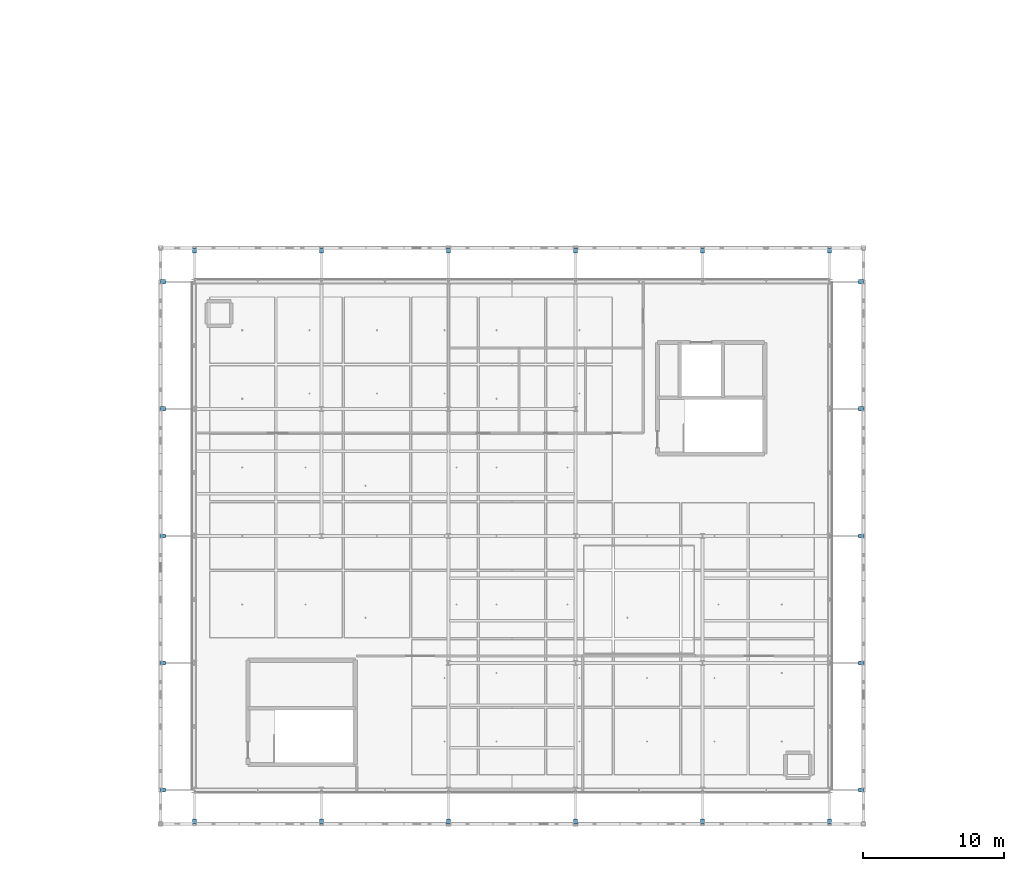
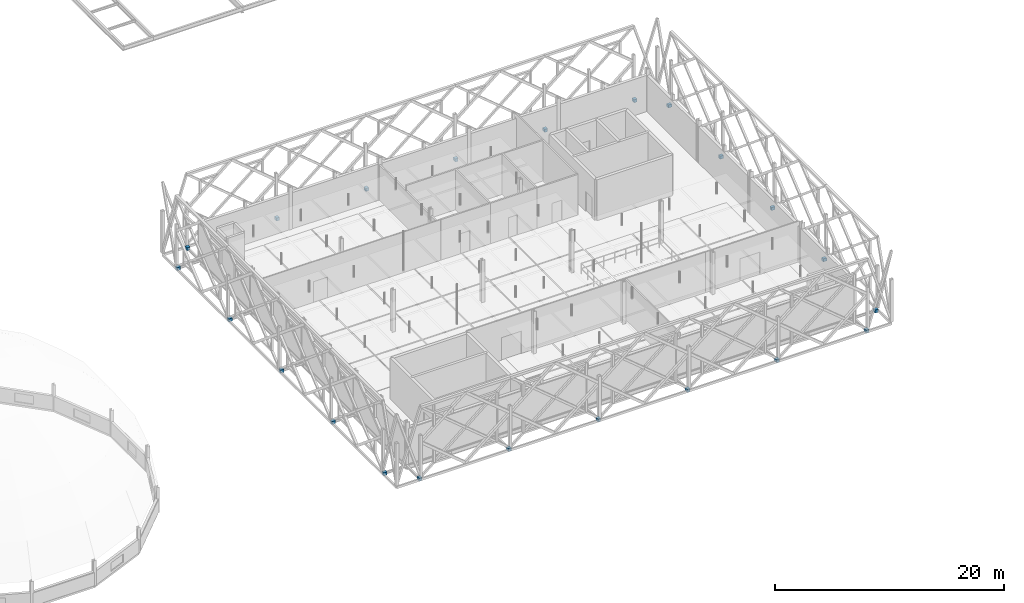
# One storey, part 62 of 66: 22 discrete accessories.
"""IFC4 building model written with IfcOpenShell, lengths in metres."""

import ifcopenshell
import ifcopenshell.guid

model = None  # the IFC model being written
_history = None  # IfcOwnerHistory: only IFC2X3 demands one
_inside = {}  # id of a spatial element -> (the spatial element, [elements in it])
_under = {}  # id of a project, library or spatial element -> (it, [spatial elements below it])
_declared = {}  # id of a project -> (the project, [libraries it declares])
_typed = {}  # id of a type object -> (the type object, [elements of that type])
_made_of = {}  # id of a material, layer set ... -> (it, [elements and type objects made of it])


def new_model(schema):
    """Start an empty IFC model of exactly this schema.

    Asked for "IFC4X3", IfcOpenShell would pick the latest addendum, in which some entities
    have other attributes; the version numbers below select the first issue.
    IFC2X3 requires an IfcOwnerHistory on every rooted entity: one is made here for all.
    """
    global model, _history
    if schema == "IFC4X3":
        model = ifcopenshell.file(schema_version=(4, 3, 0, 0))
    else:
        model = ifcopenshell.file(schema=schema)
    _inside.clear()
    _under.clear()
    _declared.clear()
    _typed.clear()
    _made_of.clear()
    _history = None
    if model.schema == "IFC2X3":
        org = make("IfcOrganization", Name="unknown")
        user = make(
            "IfcPersonAndOrganization",
            ThePerson=make("IfcPerson", FamilyName="unknown"),
            TheOrganization=org,
        )
        app = make(
            "IfcApplication",
            ApplicationDeveloper=org,
            Version="unknown",
            ApplicationFullName="unknown",
            ApplicationIdentifier="unknown",
        )
        _history = make(
            "IfcOwnerHistory",
            OwningUser=user,
            OwningApplication=app,
            ChangeAction="ADDED",
            CreationDate=0,
        )
    return model


def make(cls, **values):
    """One entity of the class cls with the attributes given. An attribute that is None is left unset."""
    return model.create_entity(
        cls, **{name: value for name, value in values.items() if value is not None}
    )


def rooted(cls, **values):
    """An entity with a GlobalId (a new one), such as an element, a storey or a relation."""
    return make(cls, GlobalId=ifcopenshell.guid.new(), OwnerHistory=_history, **values)


def si_unit(unit_type, name, prefix=None):
    """IfcSIUnit, for example si_unit("LENGTHUNIT", "METRE", prefix="MILLI")."""
    return make("IfcSIUnit", UnitType=unit_type, Prefix=prefix, Name=name)


def assignment(units):
    """IfcUnitAssignment: the units of a project."""
    return None if units is None else make("IfcUnitAssignment", Units=units)


def point(xyz):
    """IfcCartesianPoint."""
    return None if xyz is None else make("IfcCartesianPoint", Coordinates=xyz)


def direction(xyz):
    """IfcDirection."""
    return None if xyz is None else make("IfcDirection", DirectionRatios=xyz)


def frame(location, z_axis=None, x_axis=None):
    """IfcAxis2Placement3D, a coordinate frame: its origin and axes. An axis left out is left unset."""
    return make(
        "IfcAxis2Placement3D",
        Location=point(location),
        Axis=direction(z_axis),
        RefDirection=direction(x_axis),
    )


def frame_2d(location, x_axis=None):
    """IfcAxis2Placement2D, a coordinate frame in the plane: its origin and x axis."""
    return make(
        "IfcAxis2Placement2D", Location=point(location), RefDirection=direction(x_axis)
    )


def origin():
    """The frame at (0, 0, 0) with its axes left unset."""
    return frame((0.0, 0.0, 0.0))


def origin_2d():
    """The frame at (0, 0) in the plane with its x axis left unset."""
    return frame_2d((0.0, 0.0))


def place(relative_to, where):
    """IfcLocalPlacement: puts the frame where relative to a parent placement (None: the world)."""
    return make(
        "IfcLocalPlacement", PlacementRelTo=relative_to, RelativePlacement=where
    )


def context(
    kind, dimensions, precision=None, world=None, true_north=None, identifier=None
):
    """IfcGeometricRepresentationContext, for example the 3D "Model" context."""
    return make(
        "IfcGeometricRepresentationContext",
        ContextIdentifier=identifier,
        ContextType=kind,
        CoordinateSpaceDimension=dimensions,
        Precision=precision,
        WorldCoordinateSystem=world,
        TrueNorth=true_north,
    )


def subcontext(parent, identifier, kind, view, scale=None):
    """IfcGeometricRepresentationSubContext, for example "Body" below "Model"."""
    return make(
        "IfcGeometricRepresentationSubContext",
        ContextIdentifier=identifier,
        ContextType=kind,
        ParentContext=parent,
        TargetScale=scale,
        TargetView=view,
    )


def project(units=None, contexts=None):
    """IfcProject with its units and contexts."""
    return rooted(
        "IfcProject",
        Name="project",
        RepresentationContexts=contexts,
        UnitsInContext=assignment(units),
    )


def spatial(cls, under=None, at=None, **own):
    """A site, building, storey or space (cls), placed at a placement, below another one or the project."""
    s = rooted(cls, ObjectPlacement=at, **own)
    if under is not None:
        _under.setdefault(under.id(), (under, []))[1].append(s)
    return s


def profile(cls, at=None, kind="AREA", **sizes):
    """A parametric profile (cls). Its sizes go by their IFC names, for example OverallWidth=200.0."""
    return make(cls, ProfileType=kind, Position=at, **sizes)


def rectangle(**sizes):
    """IfcRectangleProfileDef."""
    return profile("IfcRectangleProfileDef", **sizes)


def extrude(swept, where, along, depth):
    """IfcExtrudedAreaSolid: the profile swept, set in the frame where, extruded along a direction by depth."""
    return make(
        "IfcExtrudedAreaSolid",
        SweptArea=swept,
        Position=where,
        ExtrudedDirection=direction(along),
        Depth=depth,
    )


def shape(context_of_items, identifier, shape_type, items):
    """IfcShapeRepresentation: the items that make up one representation, for example the "Body"."""
    return make(
        "IfcShapeRepresentation",
        ContextOfItems=context_of_items,
        RepresentationIdentifier=identifier,
        RepresentationType=shape_type,
        Items=items,
    )


def material(Name=None, Category=None):
    """IfcMaterial."""
    return make("IfcMaterial", Name=Name, Category=Category)


def made_of(thing, what):
    """Note that an element or type object is made of a material, layer set ...; save() writes the relation."""
    if what is not None:
        _made_of.setdefault(what.id(), (what, []))[1].append(thing)
    return thing


def type_object(cls, material=None, **own):
    """A type object (cls), such as IfcWallType, which elements share."""
    return made_of(rooted(cls, **own), material)


def element(
    cls,
    number,
    at=None,
    inside=None,
    cuts=None,
    type_object=None,
    material=None,
    context=None,
    identifier="Body",
    shape_type=None,
    held_by="IfcProductDefinitionShape",
    body=None,
    shapes=None,
    **own,
):
    """One element of the class cls, such as IfcWall. Its Tag is "e" and its number.

    at: its placement. inside: the storey or other place that contains it. cuts: it is an
    opening in that element (IfcRelVoidsElement). A single representation is given by context,
    identifier, shape_type and body (its items); several are given by shapes. held_by: the class
    of the entity that holds the representations. save() writes the other relations.
    """
    e = rooted(cls, Tag="e%d" % number, ObjectPlacement=at, **own)
    if body is not None:
        shapes = [shape(context, identifier, shape_type, body)]
    if shapes is not None:
        e.Representation = make(held_by, Representations=shapes)
    if inside is not None:
        _inside.setdefault(inside.id(), (inside, []))[1].append(e)
    if cuts is not None:
        rooted(
            "IfcRelVoidsElement", RelatingBuildingElement=cuts, RelatedOpeningElement=e
        )
    if type_object is not None:
        _typed.setdefault(type_object.id(), (type_object, []))[1].append(e)
    return made_of(e, material)


def aggregate(whole, parts):
    """IfcRelAggregates: a whole, such as a stair, and the parts it consists of."""
    return rooted("IfcRelAggregates", RelatingObject=whole, RelatedObjects=parts)


def save(model, path):
    """Write the relations noted so far, then the file.

    IfcRelAggregates (storeys below a building ...), IfcRelContainedInSpatialStructure (elements
    in a storey), IfcRelDefinesByType, IfcRelAssociatesMaterial and IfcRelDeclares: one each for
    every whole, place, type object, material and project.
    """
    for whole, parts in _under.values():
        aggregate(whole, parts)
    for where, things in _inside.values():
        rooted(
            "IfcRelContainedInSpatialStructure",
            RelatedElements=things,
            RelatingStructure=where,
        )
    for kind, things in _typed.values():
        rooted("IfcRelDefinesByType", RelatedObjects=things, RelatingType=kind)
    for what, things in _made_of.values():
        rooted("IfcRelAssociatesMaterial", RelatedObjects=things, RelatingMaterial=what)
    for by, libraries in _declared.values():
        rooted("IfcRelDeclares", RelatingContext=by, RelatedDefinitions=libraries)
    model.write(path)


model = new_model("IFC4")

# Units and contexts
model_context = context("Model", 3, precision=1e-05, world=origin(), true_north=direction((0.0, 1.0)))
body_context = subcontext(model_context, "Body", "Model", "MODEL_VIEW")
ifc_project = project(units=[si_unit("LENGTHUNIT", "METRE"), si_unit("AREAUNIT", "SQUARE_METRE"), si_unit("VOLUMEUNIT", "CUBIC_METRE"), si_unit("PLANEANGLEUNIT", "RADIAN"), si_unit("MASSUNIT", "GRAM", prefix="KILO"), si_unit("THERMODYNAMICTEMPERATUREUNIT", "KELVIN"), si_unit("POWERUNIT", "WATT")], contexts=[model_context])

# Site, building, storey
site_placement = place(None, origin())
site = spatial("IfcSite", under=ifc_project, at=site_placement, CompositionType="ELEMENT")
building_placement = place(site_placement, origin())
building = spatial("IfcBuilding", under=site, at=building_placement, Name="Tallowbark Science Centre", CompositionType="ELEMENT")
storey_placement = place(building_placement, frame((0.0, 0.0, 18.89990234375)))
storey = spatial("IfcBuildingStorey", under=building, at=storey_placement, Name="L04", CompositionType="ELEMENT", Elevation=18.89990234375)

# Discrete accessories
ifc_material = material(Name="White Architectural Painted Steel Grade C350L0 (350 MPa)", Category="steel")
discrete_accessory_type = type_object("IfcDiscreteAccessoryType", Name="ACC-BRK-OUT", PredefinedType="BRACKET", material=ifc_material)
for number, where, z_axis, x_axis, name in (
    (1, (58.5, 2.280029296875, -0.41015625), (0.0, 0.0, 1.0), (1.0, 0.0, 0.0), "Outrigger Gusset Bracket S-57"),
    (2, (58.5, 42.719970703125, -0.41015625), (0.0, 0.0, 1.0), (1.0, 0.0, 0.0), "Outrigger Gusset Bracket N-58"),
    (3, (67.5, 2.280029296875, -0.41015625), (0.0, 0.0, 1.0), (1.0, 0.0, 0.0), "Outrigger Gusset Bracket S-59"),
    (4, (67.5, 42.719970703125, -0.41015625), (0.0, 0.0, 1.0), (1.0, 0.0, 0.0), "Outrigger Gusset Bracket N-60"),
    (5, (76.5, 2.280029296875, -0.41015625), (0.0, 0.0, 1.0), (1.0, 0.0, 0.0), "Outrigger Gusset Bracket S-61"),
    (6, (76.5, 42.719970703125, -0.41015625), (0.0, 0.0, 1.0), (1.0, 0.0, 0.0), "Outrigger Gusset Bracket N-62"),
    (7, (85.5, 2.280029296875, -0.41015625), (0.0, 0.0, 1.0), (1.0, 0.0, 0.0), "Outrigger Gusset Bracket S-63"),
    (8, (85.5, 42.719970703125, -0.41015625), (0.0, 0.0, 1.0), (1.0, 0.0, 0.0), "Outrigger Gusset Bracket N-64"),
    (9, (94.5, 2.280029296875, -0.41015625), (0.0, 0.0, 1.0), (1.0, 0.0, 0.0), "Outrigger Gusset Bracket S-65"),
    (10, (94.5, 42.719970703125, -0.41015625), (0.0, 0.0, 1.0), (1.0, 0.0, 0.0), "Outrigger Gusset Bracket N-66"),
    (11, (103.5, 2.280029296875, -0.41015625), (0.0, 0.0, 1.0), (1.0, 0.0, 0.0), "Outrigger Gusset Bracket S-67"),
    (12, (103.5, 42.719970703125, -0.41015625), (0.0, 0.0, 1.0), (1.0, 0.0, 0.0), "Outrigger Gusset Bracket N-68"),
):
    element("IfcDiscreteAccessory", number, at=place(storey_placement, frame(where, z_axis=z_axis, x_axis=x_axis)), inside=storey, type_object=discrete_accessory_type, Name=name, PredefinedType="BRACKET", context=body_context, shape_type="SweptSolid", body=[
        extrude(rectangle(XDim=0.300048828125, YDim=0.35009765625, at=origin_2d()), origin(), (0.0, 0.0, 1.0), 0.320068359375),
    ])
for number, where, z_axis, x_axis, name in (
    (13, (56.280029296875, 4.5, -0.41015625), (0.0, 0.0, 1.0), (1.0, 0.0, 0.0), "Outrigger Gusset Bracket W-69"),
    (14, (105.719970703125, 4.5, -0.41015625), (0.0, 0.0, 1.0), (1.0, 0.0, 0.0), "Outrigger Gusset Bracket E-70"),
    (15, (56.280029296875, 13.5, -0.41015625), (0.0, 0.0, 1.0), (1.0, 0.0, 0.0), "Outrigger Gusset Bracket W-71"),
    (16, (105.719970703125, 13.5, -0.41015625), (0.0, 0.0, 1.0), (1.0, 0.0, 0.0), "Outrigger Gusset Bracket E-72"),
    (17, (56.280029296875, 22.5, -0.41015625), (0.0, 0.0, 1.0), (1.0, 0.0, 0.0), "Outrigger Gusset Bracket W-73"),
    (18, (105.719970703125, 22.5, -0.41015625), (0.0, 0.0, 1.0), (1.0, 0.0, 0.0), "Outrigger Gusset Bracket E-74"),
    (19, (56.280029296875, 31.5, -0.41015625), (0.0, 0.0, 1.0), (1.0, 0.0, 0.0), "Outrigger Gusset Bracket W-75"),
    (20, (105.719970703125, 31.5, -0.41015625), (0.0, 0.0, 1.0), (1.0, 0.0, 0.0), "Outrigger Gusset Bracket E-76"),
    (21, (56.280029296875, 40.5, -0.41015625), (0.0, 0.0, 1.0), (1.0, 0.0, 0.0), "Outrigger Gusset Bracket W-77"),
    (22, (105.719970703125, 40.5, -0.41015625), (0.0, 0.0, 1.0), (1.0, 0.0, 0.0), "Outrigger Gusset Bracket E-78"),
):
    element("IfcDiscreteAccessory", number, at=place(storey_placement, frame(where, z_axis=z_axis, x_axis=x_axis)), inside=storey, type_object=discrete_accessory_type, Name=name, PredefinedType="BRACKET", context=body_context, shape_type="SweptSolid", body=[
        extrude(rectangle(XDim=0.35009765625, YDim=0.300048828125, at=origin_2d()), origin(), (0.0, 0.0, 1.0), 0.320068359375),
    ])

save(model, "model.ifc")
